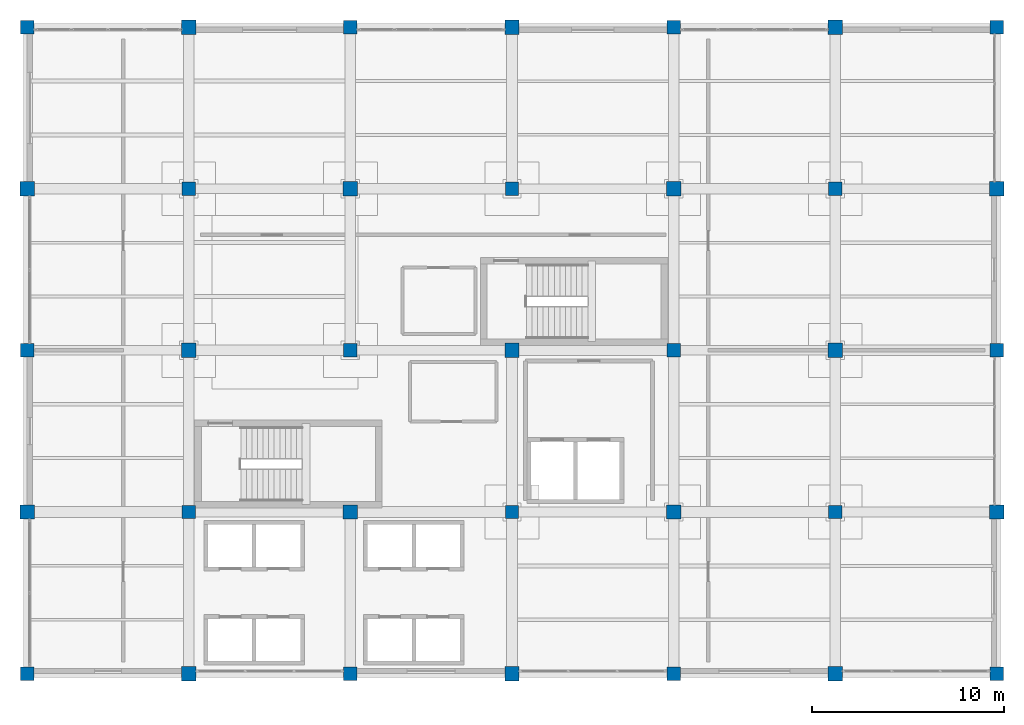
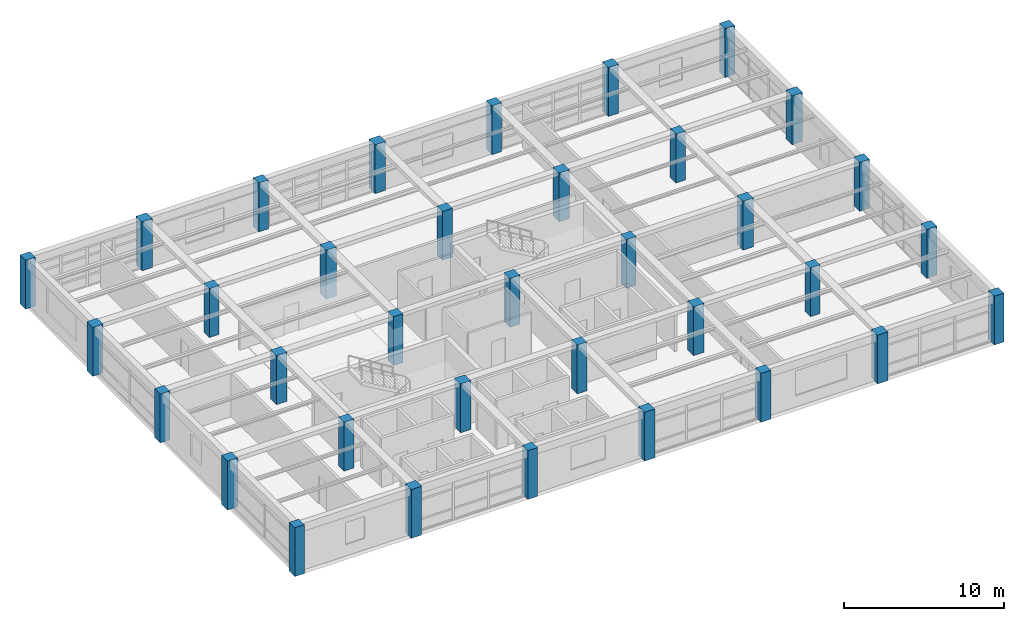
# One storey, part 1 of 31: 35 columns.
"""IFC4 building model written with IfcOpenShell, lengths in metres."""

from ifc_helpers import new_model, si_unit, direction, frame, origin, origin_2d, place, context, subcontext, project, spatial, rectangle, extrude, material, material_profile, profile_set, type_object, element, save


model = new_model("IFC4")

# Units and contexts
model_context = context("Model", 3, precision=1e-05, world=origin(), true_north=direction((0.0, 1.0)))
body_context = subcontext(model_context, "Body", "Model", "MODEL_VIEW")
ifc_project = project(units=[si_unit("LENGTHUNIT", "METRE"), si_unit("AREAUNIT", "SQUARE_METRE"), si_unit("VOLUMEUNIT", "CUBIC_METRE"), si_unit("PLANEANGLEUNIT", "RADIAN"), si_unit("MASSUNIT", "GRAM", prefix="KILO")], contexts=[model_context])

# Site, building, storey
site_placement = place(None, origin())
site = spatial("IfcSite", under=ifc_project, at=site_placement, CompositionType="ELEMENT")
building_placement = place(site_placement, origin())
building = spatial("IfcBuilding", under=site, at=building_placement, Name="Almacenes y Pasaje Nevantli", CompositionType="ELEMENT")
storey_placement = place(building_placement, frame((0.0, 0.0, 34.699951171875)))
storey = spatial("IfcBuildingStorey", under=building, at=storey_placement, Name="L08", CompositionType="ELEMENT", Elevation=34.699951171875)

# Columns
ifc_material_1 = material(Name="Concrete C45/55", Category="concrete")
ifc_material_profile_1 = material_profile(ifc_material_1, rectangle(XDim=0.699951171875, YDim=0.699951171875, at=origin_2d()), Name="RC-COL-700x700")
ifc_profile_set_1 = profile_set([ifc_material_profile_1], Name="Concrete C45/55")
column_type_1 = type_object("IfcColumnType", Name="COL-RC-700", PredefinedType="COLUMN", material=ifc_profile_set_1)
for number, where, z_axis, x_axis, name in (
    (1, (109.199951171875, 67.199951171875, 0.0), (0.0, 0.0, 1.0), (1.0, 0.0, 0.0), "L08 Reinforced Concrete Column CL-06 #2141"),
    (2, (109.199951171875, 84.0, 0.0), (0.0, 0.0, 1.0), (1.0, 0.0, 0.0), "L08 Reinforced Concrete Column CL-06 #2143"),
    (3, (109.199951171875, 100.800048828125, 0.0), (0.0, 0.0, 1.0), (1.0, 0.0, 0.0), "L08 Reinforced Concrete Column CL-06 #2145"),
    (4, (117.60009765625, 75.60009765625, 0.0), (0.0, 0.0, 1.0), (1.0, 0.0, 0.0), "L08 Reinforced Concrete Column CL-06 #2147"),
    (5, (117.60009765625, 92.39990234375, 0.0), (0.0, 0.0, 1.0), (1.0, 0.0, 0.0), "L08 Reinforced Concrete Column CL-06 #2149"),
    (6, (126.0, 67.199951171875, 0.0), (0.0, 0.0, 1.0), (1.0, 0.0, 0.0), "L08 Reinforced Concrete Column CL-06 #2151"),
    (7, (126.0, 84.0, 0.0), (0.0, 0.0, 1.0), (1.0, 0.0, 0.0), "L08 Reinforced Concrete Column CL-06 #2153"),
    (8, (126.0, 100.800048828125, 0.0), (0.0, 0.0, 1.0), (1.0, 0.0, 0.0), "L08 Reinforced Concrete Column CL-06 #2155"),
    (9, (134.39990234375, 75.60009765625, 0.0), (0.0, 0.0, 1.0), (1.0, 0.0, 0.0), "L08 Reinforced Concrete Column CL-06 #2157"),
    (10, (134.39990234375, 92.39990234375, 0.0), (0.0, 0.0, 1.0), (1.0, 0.0, 0.0), "L08 Reinforced Concrete Column CL-06 #2159"),
    (11, (142.800048828125, 67.199951171875, 0.0), (0.0, 0.0, 1.0), (1.0, 0.0, 0.0), "L08 Reinforced Concrete Column CL-06 #2161"),
    (12, (142.800048828125, 84.0, 0.0), (0.0, 0.0, 1.0), (1.0, 0.0, 0.0), "L08 Reinforced Concrete Column CL-06 #2163"),
    (13, (142.800048828125, 100.800048828125, 0.0), (0.0, 0.0, 1.0), (1.0, 0.0, 0.0), "L08 Reinforced Concrete Column CL-06 #2165"),
    (14, (151.199951171875, 75.60009765625, 0.0), (0.0, 0.0, 1.0), (1.0, 0.0, 0.0), "L08 Reinforced Concrete Column CL-06 #2167"),
    (15, (151.199951171875, 92.39990234375, 0.0), (0.0, 0.0, 1.0), (1.0, 0.0, 0.0), "L08 Reinforced Concrete Column CL-06 #2169"),
    (16, (159.60009765625, 67.199951171875, 0.0), (0.0, 0.0, 1.0), (1.0, 0.0, 0.0), "L08 Reinforced Concrete Column CL-06 #2171"),
    (17, (159.60009765625, 84.0, 0.0), (0.0, 0.0, 1.0), (1.0, 0.0, 0.0), "L08 Reinforced Concrete Column CL-06 #2173"),
    (18, (159.60009765625, 100.800048828125, 0.0), (0.0, 0.0, 1.0), (1.0, 0.0, 0.0), "L08 Reinforced Concrete Column CL-06 #2175"),
):
    element("IfcColumn", number, at=place(storey_placement, frame(where, z_axis=z_axis, x_axis=x_axis)), inside=storey, type_object=column_type_1, Name=name, PredefinedType="COLUMN", context=body_context, shape_type="SweptSolid", body=[
        extrude(rectangle(XDim=0.699951171875, YDim=0.699951171875, at=origin_2d()), origin(), (0.0, 0.0, 1.0), 3.719970703125),
    ])
ifc_material_2 = material(Name="Concrete C45/55", Category="concrete")
ifc_material_profile_2 = material_profile(ifc_material_2, rectangle(XDim=0.75, YDim=0.75, at=origin_2d()), Name="RC-COL-750x750")
ifc_profile_set_2 = profile_set([ifc_material_profile_2], Name="Concrete C45/55")
column_type_2 = type_object("IfcColumnType", Name="COL-RC-750", PredefinedType="COLUMN", material=ifc_profile_set_2)
for number, where, z_axis, x_axis, name in (
    (19, (109.199951171875, 75.60009765625, 0.0), (0.0, 0.0, 1.0), (1.0, 0.0, 0.0), "L08 Reinforced Concrete Column CL-05 #2142"),
    (20, (109.199951171875, 92.39990234375, 0.0), (0.0, 0.0, 1.0), (1.0, 0.0, 0.0), "L08 Reinforced Concrete Column CL-05 #2144"),
    (21, (117.60009765625, 67.199951171875, 0.0), (0.0, 0.0, 1.0), (1.0, 0.0, 0.0), "L08 Reinforced Concrete Column CL-05 #2146"),
    (22, (117.60009765625, 84.0, 0.0), (0.0, 0.0, 1.0), (1.0, 0.0, 0.0), "L08 Reinforced Concrete Column CL-05 #2148"),
    (23, (117.60009765625, 100.800048828125, 0.0), (0.0, 0.0, 1.0), (1.0, 0.0, 0.0), "L08 Reinforced Concrete Column CL-05 #2150"),
    (24, (126.0, 75.60009765625, 0.0), (0.0, 0.0, 1.0), (1.0, 0.0, 0.0), "L08 Reinforced Concrete Column CL-05 #2152"),
    (25, (126.0, 92.39990234375, 0.0), (0.0, 0.0, 1.0), (1.0, 0.0, 0.0), "L08 Reinforced Concrete Column CL-05 #2154"),
    (26, (134.39990234375, 67.199951171875, 0.0), (0.0, 0.0, 1.0), (1.0, 0.0, 0.0), "L08 Reinforced Concrete Column CL-05 #2156"),
    (27, (134.39990234375, 84.0, 0.0), (0.0, 0.0, 1.0), (1.0, 0.0, 0.0), "L08 Reinforced Concrete Column CL-05 #2158"),
    (28, (134.39990234375, 100.800048828125, 0.0), (0.0, 0.0, 1.0), (1.0, 0.0, 0.0), "L08 Reinforced Concrete Column CL-05 #2160"),
    (29, (142.800048828125, 75.60009765625, 0.0), (0.0, 0.0, 1.0), (1.0, 0.0, 0.0), "L08 Reinforced Concrete Column CL-05 #2162"),
    (30, (142.800048828125, 92.39990234375, 0.0), (0.0, 0.0, 1.0), (1.0, 0.0, 0.0), "L08 Reinforced Concrete Column CL-05 #2164"),
    (31, (151.199951171875, 67.199951171875, 0.0), (0.0, 0.0, 1.0), (1.0, 0.0, 0.0), "L08 Reinforced Concrete Column CL-05 #2166"),
    (32, (151.199951171875, 84.0, 0.0), (0.0, 0.0, 1.0), (1.0, 0.0, 0.0), "L08 Reinforced Concrete Column CL-05 #2168"),
    (33, (151.199951171875, 100.800048828125, 0.0), (0.0, 0.0, 1.0), (1.0, 0.0, 0.0), "L08 Reinforced Concrete Column CL-05 #2170"),
    (34, (159.60009765625, 75.60009765625, 0.0), (0.0, 0.0, 1.0), (1.0, 0.0, 0.0), "L08 Reinforced Concrete Column CL-05 #2172"),
    (35, (159.60009765625, 92.39990234375, 0.0), (0.0, 0.0, 1.0), (1.0, 0.0, 0.0), "L08 Reinforced Concrete Column CL-05 #2174"),
):
    element("IfcColumn", number, at=place(storey_placement, frame(where, z_axis=z_axis, x_axis=x_axis)), inside=storey, type_object=column_type_2, Name=name, PredefinedType="COLUMN", context=body_context, shape_type="SweptSolid", body=[
        extrude(rectangle(XDim=0.75, YDim=0.75, at=origin_2d()), origin(), (0.0, 0.0, 1.0), 3.719970703125),
    ])

save(model, "model.ifc")
